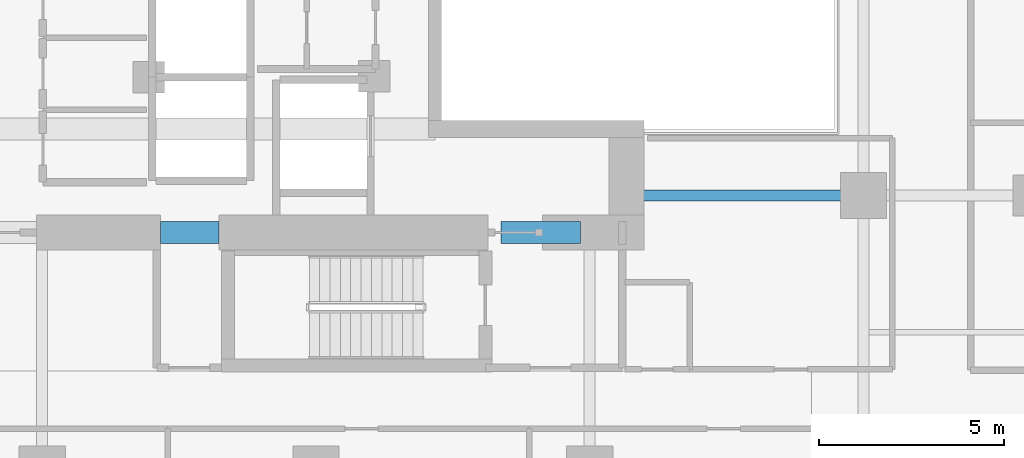
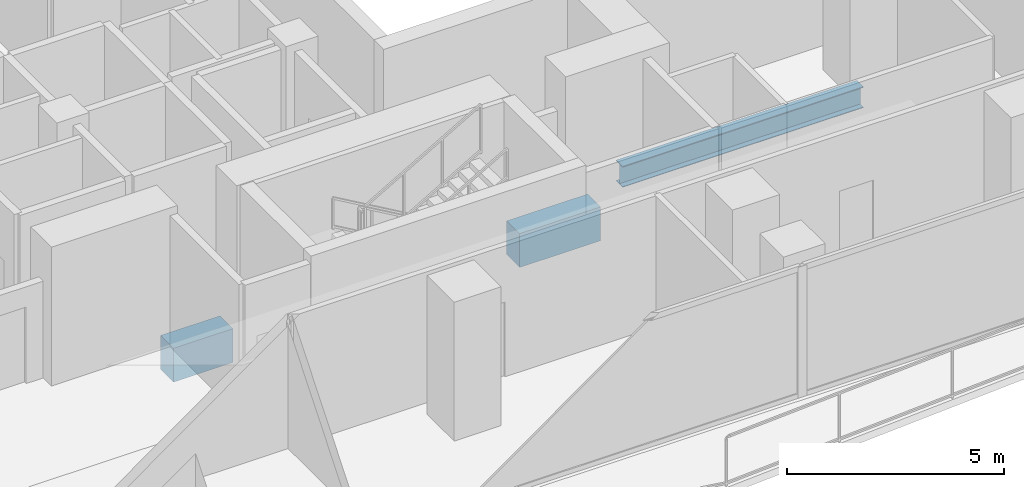
# One storey, part 5 of 26: 3 beams.
"""IFC4 building model written with IfcOpenShell, lengths in metres."""

import ifcopenshell
import ifcopenshell.guid

model = None  # the IFC model being written
_history = None  # IfcOwnerHistory: only IFC2X3 demands one
_inside = {}  # id of a spatial element -> (the spatial element, [elements in it])
_under = {}  # id of a project, library or spatial element -> (it, [spatial elements below it])
_declared = {}  # id of a project -> (the project, [libraries it declares])
_typed = {}  # id of a type object -> (the type object, [elements of that type])
_made_of = {}  # id of a material, layer set ... -> (it, [elements and type objects made of it])


def new_model(schema):
    """Start an empty IFC model of exactly this schema.

    Asked for "IFC4X3", IfcOpenShell would pick the latest addendum, in which some entities
    have other attributes; the version numbers below select the first issue.
    IFC2X3 requires an IfcOwnerHistory on every rooted entity: one is made here for all.
    """
    global model, _history
    if schema == "IFC4X3":
        model = ifcopenshell.file(schema_version=(4, 3, 0, 0))
    else:
        model = ifcopenshell.file(schema=schema)
    _inside.clear()
    _under.clear()
    _declared.clear()
    _typed.clear()
    _made_of.clear()
    _history = None
    if model.schema == "IFC2X3":
        org = make("IfcOrganization", Name="unknown")
        user = make(
            "IfcPersonAndOrganization",
            ThePerson=make("IfcPerson", FamilyName="unknown"),
            TheOrganization=org,
        )
        app = make(
            "IfcApplication",
            ApplicationDeveloper=org,
            Version="unknown",
            ApplicationFullName="unknown",
            ApplicationIdentifier="unknown",
        )
        _history = make(
            "IfcOwnerHistory",
            OwningUser=user,
            OwningApplication=app,
            ChangeAction="ADDED",
            CreationDate=0,
        )
    return model


def make(cls, **values):
    """One entity of the class cls with the attributes given. An attribute that is None is left unset."""
    return model.create_entity(
        cls, **{name: value for name, value in values.items() if value is not None}
    )


def rooted(cls, **values):
    """An entity with a GlobalId (a new one), such as an element, a storey or a relation."""
    return make(cls, GlobalId=ifcopenshell.guid.new(), OwnerHistory=_history, **values)


def si_unit(unit_type, name, prefix=None):
    """IfcSIUnit, for example si_unit("LENGTHUNIT", "METRE", prefix="MILLI")."""
    return make("IfcSIUnit", UnitType=unit_type, Prefix=prefix, Name=name)


def assignment(units):
    """IfcUnitAssignment: the units of a project."""
    return None if units is None else make("IfcUnitAssignment", Units=units)


def point(xyz):
    """IfcCartesianPoint."""
    return None if xyz is None else make("IfcCartesianPoint", Coordinates=xyz)


def direction(xyz):
    """IfcDirection."""
    return None if xyz is None else make("IfcDirection", DirectionRatios=xyz)


def frame(location, z_axis=None, x_axis=None):
    """IfcAxis2Placement3D, a coordinate frame: its origin and axes. An axis left out is left unset."""
    return make(
        "IfcAxis2Placement3D",
        Location=point(location),
        Axis=direction(z_axis),
        RefDirection=direction(x_axis),
    )


def frame_2d(location, x_axis=None):
    """IfcAxis2Placement2D, a coordinate frame in the plane: its origin and x axis."""
    return make(
        "IfcAxis2Placement2D", Location=point(location), RefDirection=direction(x_axis)
    )


def origin():
    """The frame at (0, 0, 0) with its axes left unset."""
    return frame((0.0, 0.0, 0.0))


def origin_2d():
    """The frame at (0, 0) in the plane with its x axis left unset."""
    return frame_2d((0.0, 0.0))


def place(relative_to, where):
    """IfcLocalPlacement: puts the frame where relative to a parent placement (None: the world)."""
    return make(
        "IfcLocalPlacement", PlacementRelTo=relative_to, RelativePlacement=where
    )


def context(
    kind, dimensions, precision=None, world=None, true_north=None, identifier=None
):
    """IfcGeometricRepresentationContext, for example the 3D "Model" context."""
    return make(
        "IfcGeometricRepresentationContext",
        ContextIdentifier=identifier,
        ContextType=kind,
        CoordinateSpaceDimension=dimensions,
        Precision=precision,
        WorldCoordinateSystem=world,
        TrueNorth=true_north,
    )


def subcontext(parent, identifier, kind, view, scale=None):
    """IfcGeometricRepresentationSubContext, for example "Body" below "Model"."""
    return make(
        "IfcGeometricRepresentationSubContext",
        ContextIdentifier=identifier,
        ContextType=kind,
        ParentContext=parent,
        TargetScale=scale,
        TargetView=view,
    )


def project(units=None, contexts=None):
    """IfcProject with its units and contexts."""
    return rooted(
        "IfcProject",
        Name="project",
        RepresentationContexts=contexts,
        UnitsInContext=assignment(units),
    )


def spatial(cls, under=None, at=None, **own):
    """A site, building, storey or space (cls), placed at a placement, below another one or the project."""
    s = rooted(cls, ObjectPlacement=at, **own)
    if under is not None:
        _under.setdefault(under.id(), (under, []))[1].append(s)
    return s


def profile(cls, at=None, kind="AREA", **sizes):
    """A parametric profile (cls). Its sizes go by their IFC names, for example OverallWidth=200.0."""
    return make(cls, ProfileType=kind, Position=at, **sizes)


def rectangle(**sizes):
    """IfcRectangleProfileDef."""
    return profile("IfcRectangleProfileDef", **sizes)


def i_section(**sizes):
    """IfcIShapeProfileDef."""
    return profile("IfcIShapeProfileDef", **sizes)


def extrude(swept, where, along, depth):
    """IfcExtrudedAreaSolid: the profile swept, set in the frame where, extruded along a direction by depth."""
    return make(
        "IfcExtrudedAreaSolid",
        SweptArea=swept,
        Position=where,
        ExtrudedDirection=direction(along),
        Depth=depth,
    )


def shape(context_of_items, identifier, shape_type, items):
    """IfcShapeRepresentation: the items that make up one representation, for example the "Body"."""
    return make(
        "IfcShapeRepresentation",
        ContextOfItems=context_of_items,
        RepresentationIdentifier=identifier,
        RepresentationType=shape_type,
        Items=items,
    )


def material(Name=None, Category=None):
    """IfcMaterial."""
    return make("IfcMaterial", Name=Name, Category=Category)


def material_profile(
    of_material, cross_section, Name=None, Category=None, Priority=None
):
    """IfcMaterialProfile: a cross section and its material."""
    return make(
        "IfcMaterialProfile",
        Name=Name,
        Material=of_material,
        Profile=cross_section,
        Priority=Priority,
        Category=Category,
    )


def profile_set(profiles, Name=None, composite=None):
    """IfcMaterialProfileSet."""
    return make(
        "IfcMaterialProfileSet",
        Name=Name,
        MaterialProfiles=profiles,
        CompositeProfile=composite,
    )


def made_of(thing, what):
    """Note that an element or type object is made of a material, layer set ...; save() writes the relation."""
    if what is not None:
        _made_of.setdefault(what.id(), (what, []))[1].append(thing)
    return thing


def type_object(cls, material=None, **own):
    """A type object (cls), such as IfcWallType, which elements share."""
    return made_of(rooted(cls, **own), material)


def element(
    cls,
    number,
    at=None,
    inside=None,
    cuts=None,
    type_object=None,
    material=None,
    context=None,
    identifier="Body",
    shape_type=None,
    held_by="IfcProductDefinitionShape",
    body=None,
    shapes=None,
    **own,
):
    """One element of the class cls, such as IfcWall. Its Tag is "e" and its number.

    at: its placement. inside: the storey or other place that contains it. cuts: it is an
    opening in that element (IfcRelVoidsElement). A single representation is given by context,
    identifier, shape_type and body (its items); several are given by shapes. held_by: the class
    of the entity that holds the representations. save() writes the other relations.
    """
    e = rooted(cls, Tag="e%d" % number, ObjectPlacement=at, **own)
    if body is not None:
        shapes = [shape(context, identifier, shape_type, body)]
    if shapes is not None:
        e.Representation = make(held_by, Representations=shapes)
    if inside is not None:
        _inside.setdefault(inside.id(), (inside, []))[1].append(e)
    if cuts is not None:
        rooted(
            "IfcRelVoidsElement", RelatingBuildingElement=cuts, RelatedOpeningElement=e
        )
    if type_object is not None:
        _typed.setdefault(type_object.id(), (type_object, []))[1].append(e)
    return made_of(e, material)


def aggregate(whole, parts):
    """IfcRelAggregates: a whole, such as a stair, and the parts it consists of."""
    return rooted("IfcRelAggregates", RelatingObject=whole, RelatedObjects=parts)


def save(model, path):
    """Write the relations noted so far, then the file.

    IfcRelAggregates (storeys below a building ...), IfcRelContainedInSpatialStructure (elements
    in a storey), IfcRelDefinesByType, IfcRelAssociatesMaterial and IfcRelDeclares: one each for
    every whole, place, type object, material and project.
    """
    for whole, parts in _under.values():
        aggregate(whole, parts)
    for where, things in _inside.values():
        rooted(
            "IfcRelContainedInSpatialStructure",
            RelatedElements=things,
            RelatingStructure=where,
        )
    for kind, things in _typed.values():
        rooted("IfcRelDefinesByType", RelatedObjects=things, RelatingType=kind)
    for what, things in _made_of.values():
        rooted("IfcRelAssociatesMaterial", RelatedObjects=things, RelatingMaterial=what)
    for by, libraries in _declared.values():
        rooted("IfcRelDeclares", RelatingContext=by, RelatedDefinitions=libraries)
    model.write(path)


model = new_model("IFC4")

# Units and contexts
model_context = context("Model", 3, precision=1e-05, world=origin(), true_north=direction((0.0, 1.0)))
body_context = subcontext(model_context, "Body", "Model", "MODEL_VIEW")
ifc_project = project(units=[si_unit("LENGTHUNIT", "METRE"), si_unit("AREAUNIT", "SQUARE_METRE"), si_unit("VOLUMEUNIT", "CUBIC_METRE"), si_unit("PLANEANGLEUNIT", "RADIAN"), si_unit("MASSUNIT", "GRAM", prefix="KILO")], contexts=[model_context])

# Site, building, storey
site_placement = place(None, origin())
site = spatial("IfcSite", under=ifc_project, at=site_placement, CompositionType="ELEMENT")
building_placement = place(site_placement, origin())
building = spatial("IfcBuilding", under=site, at=building_placement, Name="Khorvyn Point Tower", CompositionType="ELEMENT")
storey_placement = place(building_placement, frame((0.0, 0.0, 113.39990234375)))
storey = spatial("IfcBuildingStorey", under=building, at=storey_placement, Name="L28", CompositionType="ELEMENT", Elevation=113.39990234375)

# Beams
ifc_material_1 = material(Name="Concrete C50/60", Category="concrete")
ifc_material_profile_1 = material_profile(ifc_material_1, rectangle(XDim=0.60009765625, YDim=0.949951171875, at=origin_2d()))
ifc_profile_set_1 = profile_set([ifc_material_profile_1], Name="Concrete C50/60 RC600x950")
beam_type_1 = type_object("IfcBeamType", Name="Concrete C50/60 Beam RC600x950", PredefinedType="BEAM", material=ifc_profile_set_1)
beam_1_placement = place(storey_placement, frame((-4.199951171875, -8.39990234375, -0.69482421875), z_axis=(1.0, 0.0, 0.0), x_axis=(0.0, 1.0, 0.0)))
element("IfcBeam", 1, at=beam_1_placement, inside=storey, type_object=beam_type_1, Name="L28 Core Shuttle Portal Coupling Beam", PredefinedType="BEAM", context=body_context, shape_type="SweptSolid", body=[
    extrude(rectangle(XDim=0.60009765625, YDim=0.949951171875, at=origin_2d()), origin(), (0.0, 0.0, 1.0), 1.579833984375),
])
beam_2_placement = place(storey_placement, frame((5.0, -8.39990234375, -0.69482421875), z_axis=(1.0, 0.0, 0.0), x_axis=(0.0, 1.0, 0.0)))
element("IfcBeam", 2, at=beam_2_placement, inside=storey, type_object=beam_type_1, Name="L28 Core Southeast Portal Coupling Beam", PredefinedType="BEAM", context=body_context, shape_type="SweptSolid", body=[
    extrude(rectangle(XDim=0.60009765625, YDim=0.949951171875, at=origin_2d()), origin(), (0.0, 0.0, 1.0), 2.14990234375),
])
ifc_material_2 = material(Name="Steel S355", Category="steel")
ifc_material_profile_2 = material_profile(ifc_material_2, i_section(OverallWidth=0.300048828125, OverallDepth=0.587890625, WebThickness=0.011962890625, FlangeThickness=0.02001953125, at=origin_2d()))
ifc_profile_set_2 = profile_set([ifc_material_profile_2], Name="Steel S355 H588x300x12x20")
beam_type_2 = type_object("IfcBeamType", Name="Steel S355 Beam H588x300x12x20", PredefinedType="BEAM", material=ifc_profile_set_2)
beam_3_placement = place(storey_placement, frame((8.39990234375, -7.39990234375, -0.513916015625), z_axis=(1.0, 0.0, 0.0), x_axis=(0.0, 1.0, 0.0)))
element("IfcBeam", 3, at=beam_3_placement, inside=storey, type_object=beam_type_2, Name="Beam", PredefinedType="BEAM", context=body_context, shape_type="SweptSolid", body=[
    extrude(i_section(OverallWidth=0.300048828125, OverallDepth=0.587890625, WebThickness=0.011962890625, FlangeThickness=0.02001953125, at=origin_2d()), origin(), (0.0, 0.0, 1.0), 6.400146484375),
])

save(model, "model.ifc")
